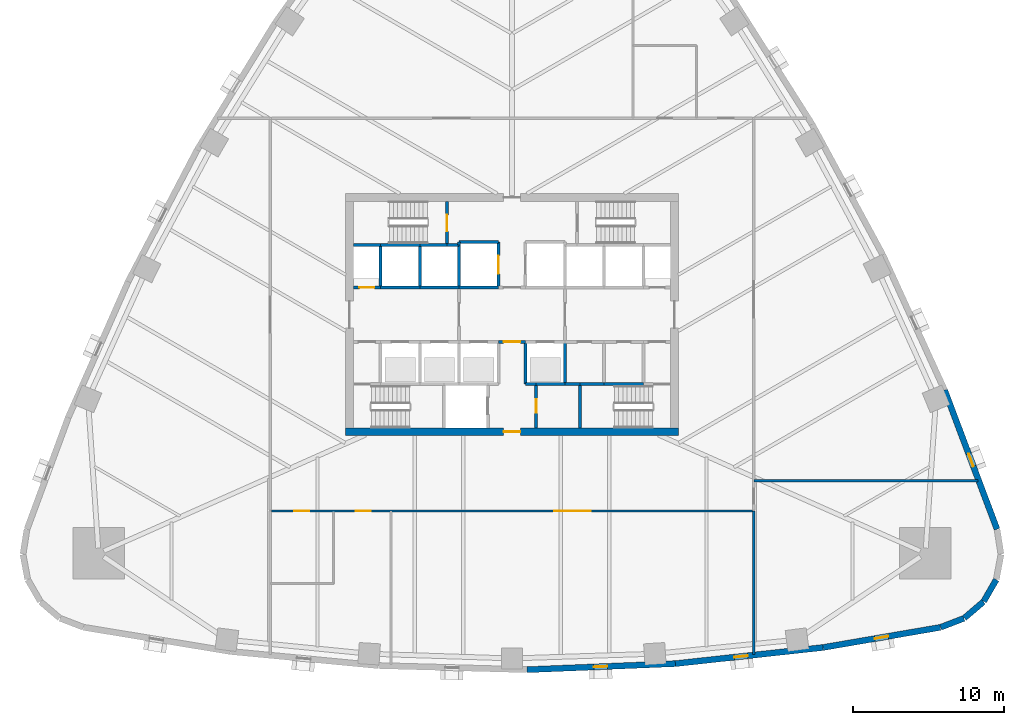
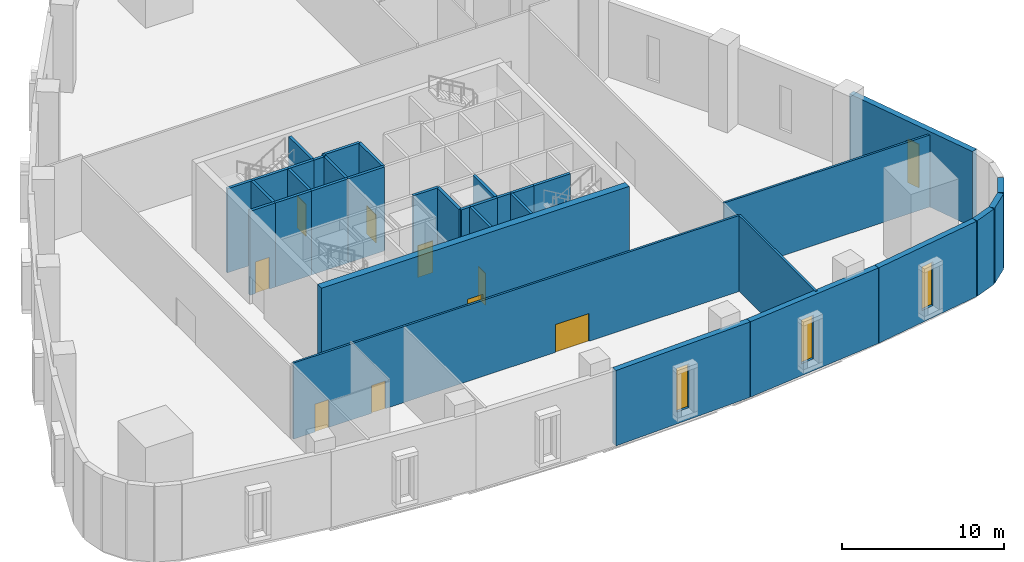
# One storey, part 4 of 11: 36 walls, 9 doors, 4 windows, 13 openings.
"""IFC4 building model written with IfcOpenShell, lengths in metres."""

import ifcopenshell
import ifcopenshell.guid

model = None  # the IFC model being written
_history = None  # IfcOwnerHistory: only IFC2X3 demands one
_inside = {}  # id of a spatial element -> (the spatial element, [elements in it])
_under = {}  # id of a project, library or spatial element -> (it, [spatial elements below it])
_declared = {}  # id of a project -> (the project, [libraries it declares])
_typed = {}  # id of a type object -> (the type object, [elements of that type])
_made_of = {}  # id of a material, layer set ... -> (it, [elements and type objects made of it])


def new_model(schema):
    """Start an empty IFC model of exactly this schema.

    Asked for "IFC4X3", IfcOpenShell would pick the latest addendum, in which some entities
    have other attributes; the version numbers below select the first issue.
    IFC2X3 requires an IfcOwnerHistory on every rooted entity: one is made here for all.
    """
    global model, _history
    if schema == "IFC4X3":
        model = ifcopenshell.file(schema_version=(4, 3, 0, 0))
    else:
        model = ifcopenshell.file(schema=schema)
    _inside.clear()
    _under.clear()
    _declared.clear()
    _typed.clear()
    _made_of.clear()
    _history = None
    if model.schema == "IFC2X3":
        org = make("IfcOrganization", Name="unknown")
        user = make(
            "IfcPersonAndOrganization",
            ThePerson=make("IfcPerson", FamilyName="unknown"),
            TheOrganization=org,
        )
        app = make(
            "IfcApplication",
            ApplicationDeveloper=org,
            Version="unknown",
            ApplicationFullName="unknown",
            ApplicationIdentifier="unknown",
        )
        _history = make(
            "IfcOwnerHistory",
            OwningUser=user,
            OwningApplication=app,
            ChangeAction="ADDED",
            CreationDate=0,
        )
    return model


def make(cls, **values):
    """One entity of the class cls with the attributes given. An attribute that is None is left unset."""
    return model.create_entity(
        cls, **{name: value for name, value in values.items() if value is not None}
    )


def rooted(cls, **values):
    """An entity with a GlobalId (a new one), such as an element, a storey or a relation."""
    return make(cls, GlobalId=ifcopenshell.guid.new(), OwnerHistory=_history, **values)


def si_unit(unit_type, name, prefix=None):
    """IfcSIUnit, for example si_unit("LENGTHUNIT", "METRE", prefix="MILLI")."""
    return make("IfcSIUnit", UnitType=unit_type, Prefix=prefix, Name=name)


def assignment(units):
    """IfcUnitAssignment: the units of a project."""
    return None if units is None else make("IfcUnitAssignment", Units=units)


def point(xyz):
    """IfcCartesianPoint."""
    return None if xyz is None else make("IfcCartesianPoint", Coordinates=xyz)


def direction(xyz):
    """IfcDirection."""
    return None if xyz is None else make("IfcDirection", DirectionRatios=xyz)


def frame(location, z_axis=None, x_axis=None):
    """IfcAxis2Placement3D, a coordinate frame: its origin and axes. An axis left out is left unset."""
    return make(
        "IfcAxis2Placement3D",
        Location=point(location),
        Axis=direction(z_axis),
        RefDirection=direction(x_axis),
    )


def frame_2d(location, x_axis=None):
    """IfcAxis2Placement2D, a coordinate frame in the plane: its origin and x axis."""
    return make(
        "IfcAxis2Placement2D", Location=point(location), RefDirection=direction(x_axis)
    )


def origin():
    """The frame at (0, 0, 0) with its axes left unset."""
    return frame((0.0, 0.0, 0.0))


def place(relative_to, where):
    """IfcLocalPlacement: puts the frame where relative to a parent placement (None: the world)."""
    return make(
        "IfcLocalPlacement", PlacementRelTo=relative_to, RelativePlacement=where
    )


def context(
    kind, dimensions, precision=None, world=None, true_north=None, identifier=None
):
    """IfcGeometricRepresentationContext, for example the 3D "Model" context."""
    return make(
        "IfcGeometricRepresentationContext",
        ContextIdentifier=identifier,
        ContextType=kind,
        CoordinateSpaceDimension=dimensions,
        Precision=precision,
        WorldCoordinateSystem=world,
        TrueNorth=true_north,
    )


def subcontext(parent, identifier, kind, view, scale=None):
    """IfcGeometricRepresentationSubContext, for example "Body" below "Model"."""
    return make(
        "IfcGeometricRepresentationSubContext",
        ContextIdentifier=identifier,
        ContextType=kind,
        ParentContext=parent,
        TargetScale=scale,
        TargetView=view,
    )


def project(units=None, contexts=None):
    """IfcProject with its units and contexts."""
    return rooted(
        "IfcProject",
        Name="project",
        RepresentationContexts=contexts,
        UnitsInContext=assignment(units),
    )


def spatial(cls, under=None, at=None, **own):
    """A site, building, storey or space (cls), placed at a placement, below another one or the project."""
    s = rooted(cls, ObjectPlacement=at, **own)
    if under is not None:
        _under.setdefault(under.id(), (under, []))[1].append(s)
    return s


def profile(cls, at=None, kind="AREA", **sizes):
    """A parametric profile (cls). Its sizes go by their IFC names, for example OverallWidth=200.0."""
    return make(cls, ProfileType=kind, Position=at, **sizes)


def rectangle(**sizes):
    """IfcRectangleProfileDef."""
    return profile("IfcRectangleProfileDef", **sizes)


def extrude(swept, where, along, depth):
    """IfcExtrudedAreaSolid: the profile swept, set in the frame where, extruded along a direction by depth."""
    return make(
        "IfcExtrudedAreaSolid",
        SweptArea=swept,
        Position=where,
        ExtrudedDirection=direction(along),
        Depth=depth,
    )


def shape(context_of_items, identifier, shape_type, items):
    """IfcShapeRepresentation: the items that make up one representation, for example the "Body"."""
    return make(
        "IfcShapeRepresentation",
        ContextOfItems=context_of_items,
        RepresentationIdentifier=identifier,
        RepresentationType=shape_type,
        Items=items,
    )


def material(Name=None, Category=None):
    """IfcMaterial."""
    return make("IfcMaterial", Name=Name, Category=Category)


def layer(
    of_material, thickness, ventilated=None, Name=None, Category=None, Priority=None
):
    """IfcMaterialLayer: one layer of a wall or slab, of a material (None: an air gap)."""
    return make(
        "IfcMaterialLayer",
        Material=of_material,
        LayerThickness=thickness,
        IsVentilated=ventilated,
        Name=Name,
        Category=Category,
        Priority=Priority,
    )


def layer_set(layers, Name=None):
    """IfcMaterialLayerSet."""
    return make("IfcMaterialLayerSet", MaterialLayers=layers, LayerSetName=Name)


def made_of(thing, what):
    """Note that an element or type object is made of a material, layer set ...; save() writes the relation."""
    if what is not None:
        _made_of.setdefault(what.id(), (what, []))[1].append(thing)
    return thing


def type_object(cls, material=None, **own):
    """A type object (cls), such as IfcWallType, which elements share."""
    return made_of(rooted(cls, **own), material)


def element(
    cls,
    number,
    at=None,
    inside=None,
    cuts=None,
    type_object=None,
    material=None,
    context=None,
    identifier="Body",
    shape_type=None,
    held_by="IfcProductDefinitionShape",
    body=None,
    shapes=None,
    **own,
):
    """One element of the class cls, such as IfcWall. Its Tag is "e" and its number.

    at: its placement. inside: the storey or other place that contains it. cuts: it is an
    opening in that element (IfcRelVoidsElement). A single representation is given by context,
    identifier, shape_type and body (its items); several are given by shapes. held_by: the class
    of the entity that holds the representations. save() writes the other relations.
    """
    e = rooted(cls, Tag="e%d" % number, ObjectPlacement=at, **own)
    if body is not None:
        shapes = [shape(context, identifier, shape_type, body)]
    if shapes is not None:
        e.Representation = make(held_by, Representations=shapes)
    if inside is not None:
        _inside.setdefault(inside.id(), (inside, []))[1].append(e)
    if cuts is not None:
        rooted(
            "IfcRelVoidsElement", RelatingBuildingElement=cuts, RelatedOpeningElement=e
        )
    if type_object is not None:
        _typed.setdefault(type_object.id(), (type_object, []))[1].append(e)
    return made_of(e, material)


def fill(opening, filler):
    """IfcRelFillsElement: the door or window that sits in an opening."""
    return rooted(
        "IfcRelFillsElement",
        RelatingOpeningElement=opening,
        RelatedBuildingElement=filler,
    )


def aggregate(whole, parts):
    """IfcRelAggregates: a whole, such as a stair, and the parts it consists of."""
    return rooted("IfcRelAggregates", RelatingObject=whole, RelatedObjects=parts)


def save(model, path):
    """Write the relations noted so far, then the file.

    IfcRelAggregates (storeys below a building ...), IfcRelContainedInSpatialStructure (elements
    in a storey), IfcRelDefinesByType, IfcRelAssociatesMaterial and IfcRelDeclares: one each for
    every whole, place, type object, material and project.
    """
    for whole, parts in _under.values():
        aggregate(whole, parts)
    for where, things in _inside.values():
        rooted(
            "IfcRelContainedInSpatialStructure",
            RelatedElements=things,
            RelatingStructure=where,
        )
    for kind, things in _typed.values():
        rooted("IfcRelDefinesByType", RelatedObjects=things, RelatingType=kind)
    for what, things in _made_of.values():
        rooted("IfcRelAssociatesMaterial", RelatedObjects=things, RelatingMaterial=what)
    for by, libraries in _declared.values():
        rooted("IfcRelDeclares", RelatingContext=by, RelatedDefinitions=libraries)
    model.write(path)


model = new_model("IFC4")

# Units and contexts
model_context = context("Model", 3, precision=1e-05, world=origin(), true_north=direction((0.0, 1.0)))
body_context = subcontext(model_context, "Body", "Model", "MODEL_VIEW")
ifc_project = project(units=[si_unit("LENGTHUNIT", "METRE"), si_unit("AREAUNIT", "SQUARE_METRE"), si_unit("VOLUMEUNIT", "CUBIC_METRE"), si_unit("PLANEANGLEUNIT", "RADIAN"), si_unit("MASSUNIT", "GRAM", prefix="KILO")], contexts=[model_context])

# Site, building, storey
site_placement = place(None, origin())
site = spatial("IfcSite", under=ifc_project, at=site_placement, CompositionType="ELEMENT")
building_placement = place(site_placement, origin())
building = spatial("IfcBuilding", under=site, at=building_placement, Name="Sierra Prisma Convention Tower", CompositionType="ELEMENT")
storey_placement = place(building_placement, frame((0.0, 0.0, 22.199951171875)))
storey = spatial("IfcBuildingStorey", under=building, at=storey_placement, Name="L03", CompositionType="ELEMENT", Elevation=22.199951171875)

# Wall, opening, door
ifc_material_1 = material(Name="Concrete C30/37", Category="concrete")
ifc_layer_1 = layer(ifc_material_1, 0.199951171875)
ifc_layer_set_1 = layer_set([ifc_layer_1], Name="Core wall RC 200 C30/37")
wall_type_1 = type_object("IfcWallType", Name="Core wall RC 200 C30/37", PredefinedType="SOLIDWALL", material=ifc_layer_set_1)
wall_1_placement = place(storey_placement, frame((-8.699951171875, 1.800048828125, 0.0), z_axis=(0.0, 0.0, 1.0), x_axis=(-1.0, 0.0, 0.0)))
wall_1 = element("IfcWall", 1, at=wall_1_placement, inside=storey, type_object=wall_type_1, Name="Core wall L03 3", PredefinedType="SOLIDWALL", context=body_context, shape_type="SweptSolid", body=[
    extrude(rectangle(XDim=1.800048828125, YDim=0.199951171875, at=frame_2d((0.89990234375, 0.0))), origin(), (0.0, 0.0, 1.0), 6.35009765625),
])
opening_1_placement = place(wall_1_placement, frame((0.39990234375, 0.0, 0.0)))
opening_1 = element("IfcOpeningElement", 2, at=opening_1_placement, cuts=wall_1, Name="Opening L03-D014", PredefinedType="OPENING", context=body_context, shape_type="SweptSolid", body=[
    extrude(rectangle(XDim=1.0, YDim=2.39990234375, at=frame_2d((0.5, 1.199951171875))), frame((0.0, 0.10009765625, 0.0), z_axis=(0.0, -1.0, 0.0), x_axis=(1.0, 0.0, 0.0)), (0.0, 0.0, 1.0), 0.199951171875),
])
ifc_material_2 = material(Name="Steel fire door leaf", Category="steel")
door_type_1 = type_object("IfcDoorType", Name="Door 1000x2400 FD60S", OperationType="SINGLE_SWING_LEFT", PredefinedType="DOOR", material=ifc_material_2)
door_1_placement = place(opening_1_placement, origin())
door_1 = element("IfcDoor", 3, at=door_1_placement, inside=storey, type_object=door_type_1, Name="Door L03 23", OperationType="SINGLE_SWING_LEFT", OverallHeight=2.39990234375, OverallWidth=1.0, PredefinedType="DOOR", context=body_context, shape_type="SweptSolid", body=[
    extrude(rectangle(XDim=1.0, YDim=2.39990234375, at=frame_2d((0.5, 1.199951171875))), frame((0.0, 0.02490234375, 0.0), z_axis=(0.0, -1.0, 0.0), x_axis=(1.0, 0.0, 0.0)), (0.0, 0.0, 1.0), 0.050048828125),
])
fill(opening_1, door_1)

# Walls
wall_2_placement = place(storey_placement, frame((-8.699951171875, 4.60009765625, 0.0), z_axis=(0.0, 0.0, 1.0), x_axis=(-1.0, 0.0, 0.0)))
element("IfcWall", 4, at=wall_2_placement, inside=storey, type_object=wall_type_1, Name="Core wall L03 4", PredefinedType="SOLIDWALL", context=body_context, shape_type="SweptSolid", body=[
    extrude(rectangle(XDim=1.800048828125, YDim=0.199951171875, at=frame_2d((0.89990234375, 0.0))), origin(), (0.0, 0.0, 1.0), 6.35009765625),
])
wall_3_placement = place(storey_placement, frame((-6.10009765625, 1.800048828125, 0.0), z_axis=(0.0, 0.0, 1.0), x_axis=(-1.0, 0.0, 0.0)))
element("IfcWall", 5, at=wall_3_placement, inside=storey, type_object=wall_type_1, Name="Core wall L03 8", PredefinedType="SOLIDWALL", context=body_context, shape_type="SweptSolid", body=[
    extrude(rectangle(XDim=2.599853515625, YDim=0.199951171875, at=frame_2d((1.2998046875, 0.0))), origin(), (0.0, 0.0, 1.0), 6.35009765625),
])
wall_4_placement = place(storey_placement, frame((-8.699951171875, 1.800048828125, 0.0), z_axis=(0.0, 0.0, 1.0), x_axis=(0.0, 1.0, 0.0)))
element("IfcWall", 6, at=wall_4_placement, inside=storey, type_object=wall_type_1, Name="Core wall L03 9", PredefinedType="SOLIDWALL", context=body_context, shape_type="SweptSolid", body=[
    extrude(rectangle(XDim=2.800048828125, YDim=0.199951171875, at=frame_2d((1.39990234375, 0.0))), origin(), (0.0, 0.0, 1.0), 6.35009765625),
])
wall_5_placement = place(storey_placement, frame((-6.10009765625, 4.60009765625, 0.0), z_axis=(0.0, 0.0, 1.0), x_axis=(-1.0, 0.0, 0.0)))
element("IfcWall", 7, at=wall_5_placement, inside=storey, type_object=wall_type_1, Name="Core wall L03 10", PredefinedType="SOLIDWALL", context=body_context, shape_type="SweptSolid", body=[
    extrude(rectangle(XDim=2.599853515625, YDim=0.199951171875, at=frame_2d((1.2998046875, 0.0))), origin(), (0.0, 0.0, 1.0), 6.35009765625),
])
wall_6_placement = place(storey_placement, frame((-3.5, 1.800048828125, 0.0), z_axis=(0.0, 0.0, 1.0), x_axis=(-1.0, 0.0, 0.0)))
element("IfcWall", 8, at=wall_6_placement, inside=storey, type_object=wall_type_1, Name="Core wall L03 14", PredefinedType="SOLIDWALL", context=body_context, shape_type="SweptSolid", body=[
    extrude(rectangle(XDim=2.60009765625, YDim=0.199951171875, at=frame_2d((1.300048828125, 0.0))), origin(), (0.0, 0.0, 1.0), 6.35009765625),
])
wall_7_placement = place(storey_placement, frame((-6.10009765625, 1.800048828125, 0.0), z_axis=(0.0, 0.0, 1.0), x_axis=(0.0, 1.0, 0.0)))
element("IfcWall", 9, at=wall_7_placement, inside=storey, type_object=wall_type_1, Name="Core wall L03 15", PredefinedType="SOLIDWALL", context=body_context, shape_type="SweptSolid", body=[
    extrude(rectangle(XDim=2.800048828125, YDim=0.199951171875, at=frame_2d((1.39990234375, 0.0))), origin(), (0.0, 0.0, 1.0), 6.35009765625),
])
wall_8_placement = place(storey_placement, frame((-4.300048828125, 4.60009765625, 0.0), z_axis=(0.0, 0.0, 1.0), x_axis=(-1.0, 0.0, 0.0)))
element("IfcWall", 10, at=wall_8_placement, inside=storey, type_object=wall_type_1, Name="Core wall L03 16", PredefinedType="SOLIDWALL", context=body_context, shape_type="SweptSolid", body=[
    extrude(rectangle(XDim=1.800048828125, YDim=0.199951171875, at=frame_2d((0.89990234375, 0.0))), origin(), (0.0, 0.0, 1.0), 6.35009765625),
])
wall_9_placement = place(storey_placement, frame((-3.5, 4.60009765625, 0.0), z_axis=(0.0, 0.0, 1.0), x_axis=(-1.0, 0.0, 0.0)))
element("IfcWall", 11, at=wall_9_placement, inside=storey, type_object=wall_type_1, Name="Core wall L03 19", PredefinedType="SOLIDWALL", context=body_context, shape_type="SweptSolid", body=[
    extrude(rectangle(XDim=0.800048828125, YDim=0.199951171875, at=frame_2d((0.39990234375, 0.0))), origin(), (0.0, 0.0, 1.0), 6.35009765625),
])

# Wall, opening, door
wall_10_placement = place(storey_placement, frame((-4.300048828125, 4.60009765625, 0.0), z_axis=(0.0, 0.0, 1.0), x_axis=(0.0, 1.0, 0.0)))
wall_10 = element("IfcWall", 12, at=wall_10_placement, inside=storey, type_object=wall_type_1, Name="Core wall L03 20", PredefinedType="SOLIDWALL", context=body_context, shape_type="SweptSolid", body=[
    extrude(rectangle(XDim=2.89990234375, YDim=0.199951171875, at=frame_2d((1.449951171875, 0.0))), origin(), (0.0, 0.0, 1.0), 6.35009765625),
])
opening_2_placement = place(wall_10_placement, frame((0.89990234375, 0.0, 0.0)))
opening_2 = element("IfcOpeningElement", 13, at=opening_2_placement, cuts=wall_10, Name="Opening L03-D018", PredefinedType="OPENING", context=body_context, shape_type="SweptSolid", body=[
    extrude(rectangle(XDim=1.10009765625, YDim=2.39990234375, at=frame_2d((0.550048828125, 1.199951171875))), frame((0.0, 0.10009765625, 0.0), z_axis=(0.0, -1.0, 0.0), x_axis=(1.0, 0.0, 0.0)), (0.0, 0.0, 1.0), 0.199951171875),
])
ifc_material_3 = material(Name="Steel fire door leaf", Category="steel")
door_type_2 = type_object("IfcDoorType", Name="Door 1100x2400 FD90S", OperationType="SINGLE_SWING_LEFT", PredefinedType="DOOR", material=ifc_material_3)
door_2_placement = place(opening_2_placement, origin())
door_2 = element("IfcDoor", 14, at=door_2_placement, inside=storey, type_object=door_type_2, Name="Door L03 27", OperationType="SINGLE_SWING_LEFT", OverallHeight=2.39990234375, OverallWidth=1.10009765625, PredefinedType="DOOR", context=body_context, shape_type="SweptSolid", body=[
    extrude(rectangle(XDim=1.10009765625, YDim=2.39990234375, at=frame_2d((0.550048828125, 1.199951171875))), frame((0.0, 0.02490234375, 0.0), z_axis=(0.0, -1.0, 0.0), x_axis=(1.0, 0.0, 0.0)), (0.0, 0.0, 1.0), 0.050048828125),
])
fill(opening_2, door_2)

# Walls
wall_11_placement = place(storey_placement, frame((-0.89990234375, 1.800048828125, 0.0), z_axis=(0.0, 0.0, 1.0), x_axis=(-1.0, 0.0, 0.0)))
element("IfcWall", 15, at=wall_11_placement, inside=storey, type_object=wall_type_1, Name="Core wall L03 25", PredefinedType="SOLIDWALL", context=body_context, shape_type="SweptSolid", body=[
    extrude(rectangle(XDim=2.60009765625, YDim=0.199951171875, at=frame_2d((1.300048828125, 0.0))), origin(), (0.0, 0.0, 1.0), 6.35009765625),
])
wall_12_placement = place(storey_placement, frame((-3.5, 4.60009765625, 0.0), z_axis=(0.0, 0.0, 1.0), x_axis=(0.0, -1.0, 0.0)))
element("IfcWall", 16, at=wall_12_placement, inside=storey, type_object=wall_type_1, Name="Core wall L03 26", PredefinedType="SOLIDWALL", context=body_context, shape_type="SweptSolid", body=[
    extrude(rectangle(XDim=2.800048828125, YDim=0.199951171875, at=frame_2d((1.39990234375, 0.0))), origin(), (0.0, 0.0, 1.0), 6.35009765625),
])

# Wall, opening, door
wall_13_placement = place(storey_placement, frame((-0.89990234375, 1.800048828125, 0.0), z_axis=(0.0, 0.0, 1.0), x_axis=(0.0, 1.0, 0.0)))
wall_13 = element("IfcWall", 17, at=wall_13_placement, inside=storey, type_object=wall_type_1, Name="Core wall L03 27", PredefinedType="SOLIDWALL", context=body_context, shape_type="SweptSolid", body=[
    extrude(rectangle(XDim=3.0, YDim=0.199951171875, at=frame_2d((1.5, 0.0))), origin(), (0.0, 0.0, 1.0), 6.35009765625),
])
opening_3_placement = place(wall_13_placement, frame((0.89990234375, 0.0, 0.0)))
opening_3 = element("IfcOpeningElement", 18, at=opening_3_placement, cuts=wall_13, Name="Opening L03-D005", PredefinedType="OPENING", context=body_context, shape_type="SweptSolid", body=[
    extrude(rectangle(XDim=1.199951171875, YDim=2.10009765625, at=frame_2d((0.60009765625, 1.050048828125))), frame((0.0, 0.10009765625, 0.0), z_axis=(0.0, -1.0, 0.0), x_axis=(1.0, 0.0, 0.0)), (0.0, 0.0, 1.0), 0.199951171875),
])
ifc_material_4 = material(Name="Steel fire door leaf", Category="steel")
door_type_3 = type_object("IfcDoorType", Name="Door 1200x2100 EI 90 sliding lift landing", OperationType="SLIDING_TO_LEFT", PredefinedType="DOOR", material=ifc_material_4)
door_3_placement = place(opening_3_placement, origin())
door_3 = element("IfcDoor", 19, at=door_3_placement, inside=storey, type_object=door_type_3, Name="Door L03 14", OperationType="SLIDING_TO_LEFT", OverallHeight=2.10009765625, OverallWidth=1.199951171875, PredefinedType="DOOR", context=body_context, shape_type="SweptSolid", body=[
    extrude(rectangle(XDim=1.199951171875, YDim=2.10009765625, at=frame_2d((0.60009765625, 1.050048828125))), frame((0.0, 0.02490234375, 0.0), z_axis=(0.0, -1.0, 0.0), x_axis=(1.0, 0.0, 0.0)), (0.0, 0.0, 1.0), 0.050048828125),
])
fill(opening_3, door_3)

# Walls
wall_14_placement = place(storey_placement, frame((-0.89990234375, 4.800048828125, 0.0), z_axis=(0.0, 0.0, 1.0), x_axis=(-1.0, 0.0, 0.0)))
element("IfcWall", 20, at=wall_14_placement, inside=storey, type_object=wall_type_1, Name="Core wall L03 28", PredefinedType="SOLIDWALL", context=body_context, shape_type="SweptSolid", body=[
    extrude(rectangle(XDim=2.60009765625, YDim=0.199951171875, at=frame_2d((1.300048828125, 0.0))), origin(), (0.0, 0.0, 1.0), 6.35009765625),
])
wall_15_placement = place(storey_placement, frame((-3.5, 4.800048828125, 0.0), z_axis=(0.0, 0.0, 1.0), x_axis=(0.0, -1.0, 0.0)))
element("IfcWall", 21, at=wall_15_placement, inside=storey, type_object=wall_type_1, Name="Core wall L03 29", PredefinedType="SOLIDWALL", context=body_context, shape_type="SweptSolid", body=[
    extrude(rectangle(XDim=0.199951171875, YDim=0.199951171875, at=frame_2d((0.10009765625, 0.0))), origin(), (0.0, 0.0, 1.0), 6.35009765625),
])

# Wall, opening, door
wall_16_placement = place(storey_placement, frame((-0.89990234375, -1.800048828125, 0.0), z_axis=(0.0, 0.0, 1.0), x_axis=(1.0, 0.0, 0.0)))
wall_16 = element("IfcWall", 22, at=wall_16_placement, inside=storey, type_object=wall_type_1, Name="Core wall L03 33", PredefinedType="SOLIDWALL", context=body_context, shape_type="SweptSolid", body=[
    extrude(rectangle(XDim=1.7998046875, YDim=0.199951171875, at=frame_2d((0.89990234375, 0.0))), origin(), (0.0, 0.0, 1.0), 6.35009765625),
])
opening_4_placement = place(wall_16_placement, frame((0.35009765625, 0.0, 0.0)))
opening_4 = element("IfcOpeningElement", 23, at=opening_4_placement, cuts=wall_16, Name="Opening L03-D013", PredefinedType="OPENING", context=body_context, shape_type="SweptSolid", body=[
    extrude(rectangle(XDim=1.10009765625, YDim=2.39990234375, at=frame_2d((0.550048828125, 1.199951171875))), frame((0.0, 0.10009765625, 0.0), z_axis=(0.0, -1.0, 0.0), x_axis=(1.0, 0.0, 0.0)), (0.0, 0.0, 1.0), 0.199951171875),
])
ifc_material_5 = material(Name="Steel fire door leaf", Category="steel")
door_type_4 = type_object("IfcDoorType", Name="Door 1100x2400 FD30S", OperationType="SINGLE_SWING_LEFT", PredefinedType="DOOR", material=ifc_material_5)
door_4_placement = place(opening_4_placement, origin())
door_4 = element("IfcDoor", 24, at=door_4_placement, inside=storey, type_object=door_type_4, Name="Door L03 22", OperationType="SINGLE_SWING_RIGHT", OverallHeight=2.39990234375, OverallWidth=1.10009765625, PredefinedType="DOOR", context=body_context, shape_type="SweptSolid", body=[
    extrude(rectangle(XDim=1.10009765625, YDim=2.39990234375, at=frame_2d((0.550048828125, 1.199951171875))), frame((0.0, 0.02490234375, 0.0), z_axis=(0.0, -1.0, 0.0), x_axis=(1.0, 0.0, 0.0)), (0.0, 0.0, 1.0), 0.050048828125),
])
fill(opening_4, door_4)

# Walls
wall_17_placement = place(storey_placement, frame((0.89990234375, -1.800048828125, 0.0), z_axis=(0.0, 0.0, 1.0), x_axis=(0.0, -1.0, 0.0)))
element("IfcWall", 25, at=wall_17_placement, inside=storey, type_object=wall_type_1, Name="Core wall L03 36", PredefinedType="SOLIDWALL", context=body_context, shape_type="SweptSolid", body=[
    extrude(rectangle(XDim=2.800048828125, YDim=0.199951171875, at=frame_2d((1.39990234375, 0.0))), origin(), (0.0, 0.0, 1.0), 6.35009765625),
])
wall_18_placement = place(storey_placement, frame((0.89990234375, -4.60009765625, 0.0), z_axis=(0.0, 0.0, 1.0), x_axis=(1.0, 0.0, 0.0)))
element("IfcWall", 26, at=wall_18_placement, inside=storey, type_object=wall_type_1, Name="Core wall L03 37", PredefinedType="SOLIDWALL", context=body_context, shape_type="SweptSolid", body=[
    extrude(rectangle(XDim=0.7001953125, YDim=0.199951171875, at=frame_2d((0.35009765625, 0.0))), origin(), (0.0, 0.0, 1.0), 6.35009765625),
])

# Wall, opening, door
wall_19_placement = place(storey_placement, frame((1.60009765625, -4.60009765625, 0.0), z_axis=(0.0, 0.0, 1.0), x_axis=(0.0, -1.0, 0.0)))
wall_19 = element("IfcWall", 27, at=wall_19_placement, inside=storey, type_object=wall_type_1, Name="Core wall L03 42", PredefinedType="SOLIDWALL", context=body_context, shape_type="SweptSolid", body=[
    extrude(rectangle(XDim=2.89990234375, YDim=0.199951171875, at=frame_2d((1.449951171875, 0.0))), origin(), (0.0, 0.0, 1.0), 6.35009765625),
])
opening_5_placement = place(wall_19_placement, frame((1.0, 0.0, 0.0)))
opening_5 = element("IfcOpeningElement", 28, at=opening_5_placement, cuts=wall_19, Name="Opening L03-D022", PredefinedType="OPENING", context=body_context, shape_type="SweptSolid", body=[
    extrude(rectangle(XDim=0.89990234375, YDim=2.39990234375, at=frame_2d((0.449951171875, 1.199951171875))), frame((0.0, 0.10009765625, 0.0), z_axis=(0.0, -1.0, 0.0), x_axis=(1.0, 0.0, 0.0)), (0.0, 0.0, 1.0), 0.199951171875),
])
ifc_material_6 = material(Name="Steel fire door leaf", Category="steel")
door_type_5 = type_object("IfcDoorType", Name="Door 900x2400 FD30S", OperationType="SINGLE_SWING_LEFT", PredefinedType="DOOR", material=ifc_material_6)
door_5_placement = place(opening_5_placement, origin())
door_5 = element("IfcDoor", 29, at=door_5_placement, inside=storey, type_object=door_type_5, Name="Door L03 31", OperationType="SINGLE_SWING_LEFT", OverallHeight=2.39990234375, OverallWidth=0.89990234375, PredefinedType="DOOR", context=body_context, shape_type="SweptSolid", body=[
    extrude(rectangle(XDim=0.89990234375, YDim=2.39990234375, at=frame_2d((0.449951171875, 1.199951171875))), frame((0.0, 0.02490234375, 0.0), z_axis=(0.0, -1.0, 0.0), x_axis=(1.0, 0.0, 0.0)), (0.0, 0.0, 1.0), 0.050048828125),
])
fill(opening_5, door_5)

# Walls
wall_20_placement = place(storey_placement, frame((3.5, -4.60009765625, 0.0), z_axis=(0.0, 0.0, 1.0), x_axis=(-1.0, 0.0, 0.0)))
element("IfcWall", 30, at=wall_20_placement, inside=storey, type_object=wall_type_1, Name="Core wall L03 43", PredefinedType="SOLIDWALL", context=body_context, shape_type="SweptSolid", body=[
    extrude(rectangle(XDim=1.89990234375, YDim=0.199951171875, at=frame_2d((0.949951171875, 0.0))), origin(), (0.0, 0.0, 1.0), 6.35009765625),
])
wall_21_placement = place(storey_placement, frame((3.5, -4.60009765625, 0.0), z_axis=(0.0, 0.0, 1.0), x_axis=(1.0, 0.0, 0.0)))
element("IfcWall", 31, at=wall_21_placement, inside=storey, type_object=wall_type_1, Name="Core wall L03 44", PredefinedType="SOLIDWALL", context=body_context, shape_type="SweptSolid", body=[
    extrude(rectangle(XDim=1.0, YDim=0.199951171875, at=frame_2d((0.5, 0.0))), origin(), (0.0, 0.0, 1.0), 6.35009765625),
])
wall_22_placement = place(storey_placement, frame((3.5, -1.800048828125, 0.0), z_axis=(0.0, 0.0, 1.0), x_axis=(0.0, -1.0, 0.0)))
element("IfcWall", 32, at=wall_22_placement, inside=storey, type_object=wall_type_1, Name="Core wall L03 45", PredefinedType="SOLIDWALL", context=body_context, shape_type="SweptSolid", body=[
    extrude(rectangle(XDim=2.800048828125, YDim=0.199951171875, at=frame_2d((1.39990234375, 0.0))), origin(), (0.0, 0.0, 1.0), 6.35009765625),
])
wall_23_placement = place(storey_placement, frame((4.5, -7.5, 0.0), z_axis=(0.0, 0.0, 1.0), x_axis=(0.0, 1.0, 0.0)))
element("IfcWall", 33, at=wall_23_placement, inside=storey, type_object=wall_type_1, Name="Core wall L03 53", PredefinedType="SOLIDWALL", context=body_context, shape_type="SweptSolid", body=[
    extrude(rectangle(XDim=2.89990234375, YDim=0.199951171875, at=frame_2d((1.449951171875, 0.0))), origin(), (0.0, 0.0, 1.0), 6.35009765625),
])
wall_24_placement = place(storey_placement, frame((4.5, -4.60009765625, 0.0), z_axis=(0.0, 0.0, 1.0), x_axis=(1.0, 0.0, 0.0)))
element("IfcWall", 34, at=wall_24_placement, inside=storey, type_object=wall_type_1, Name="Core wall L03 54", PredefinedType="SOLIDWALL", context=body_context, shape_type="SweptSolid", body=[
    extrude(rectangle(XDim=1.60009765625, YDim=0.199951171875, at=frame_2d((0.800048828125, 0.0))), origin(), (0.0, 0.0, 1.0), 6.35009765625),
])
wall_25_placement = place(storey_placement, frame((6.10009765625, -4.60009765625, 0.0), z_axis=(0.0, 0.0, 1.0), x_axis=(1.0, 0.0, 0.0)))
element("IfcWall", 35, at=wall_25_placement, inside=storey, type_object=wall_type_1, Name="Core wall L03 55", PredefinedType="SOLIDWALL", context=body_context, shape_type="SweptSolid", body=[
    extrude(rectangle(XDim=2.599853515625, YDim=0.199951171875, at=frame_2d((1.2998046875, 0.0))), origin(), (0.0, 0.0, 1.0), 6.35009765625),
])

# Wall, opening, door
ifc_material_7 = material(Name="Concrete C70/85", Category="concrete")
ifc_layer_2 = layer(ifc_material_7, 0.5)
ifc_layer_set_2 = layer_set([ifc_layer_2], Name="Core wall RC 500 C70/85")
wall_type_2 = type_object("IfcWallType", Name="Core wall RC 500 C70/85", PredefinedType="SHEAR", material=ifc_layer_set_2)
wall_26_placement = place(storey_placement, frame((-11.0, -7.75, 0.0), z_axis=(0.0, 0.0, 1.0), x_axis=(1.0, 0.0, 0.0)))
wall_26 = element("IfcWall", 36, at=wall_26_placement, inside=storey, type_object=wall_type_2, Name="Core wall S L03", PredefinedType="SHEAR", context=body_context, shape_type="SweptSolid", body=[
    extrude(rectangle(XDim=22.0, YDim=0.5, at=frame_2d((11.0, 0.0))), origin(), (0.0, 0.0, 1.0), 6.60009765625),
])
opening_6_placement = place(wall_26_placement, frame((10.449951171875, 0.0, 0.0)))
opening_6 = element("IfcOpeningElement", 37, at=opening_6_placement, cuts=wall_26, Name="Opening L03-D034", PredefinedType="OPENING", context=body_context, shape_type="SweptSolid", body=[
    extrude(rectangle(XDim=1.10009765625, YDim=2.10009765625, at=frame_2d((0.550048828125, 1.050048828125))), frame((0.0, 0.25, 0.0), z_axis=(0.0, -1.0, 0.0), x_axis=(1.0, 0.0, 0.0)), (0.0, 0.0, 1.0), 0.5),
])
ifc_material_8 = material(Name="Steel fire door leaf", Category="steel")
door_type_6 = type_object("IfcDoorType", Name="Door 1100x2100 FD30S", OperationType="SINGLE_SWING_LEFT", PredefinedType="DOOR", material=ifc_material_8)
door_6_placement = place(opening_6_placement, origin())
door_6 = element("IfcDoor", 38, at=door_6_placement, inside=storey, type_object=door_type_6, Name="Door L03 35", OperationType="SINGLE_SWING_LEFT", OverallHeight=2.10009765625, OverallWidth=1.10009765625, PredefinedType="DOOR", context=body_context, shape_type="SweptSolid", body=[
    extrude(rectangle(XDim=1.10009765625, YDim=2.10009765625, at=frame_2d((0.550048828125, 1.050048828125))), frame((0.0, 0.02490234375, 0.0), z_axis=(0.0, -1.0, 0.0), x_axis=(1.0, 0.0, 0.0)), (0.0, 0.0, 1.0), 0.050048828125),
])
fill(opening_6, door_6)

# Wall, openings, doors
ifc_material_9 = material(Name="Gypsum board partition", Category="gypsum")
ifc_layer_3 = layer(ifc_material_9, 0.14990234375)
ifc_layer_set_3 = layer_set([ifc_layer_3], Name="Corridor wall 150 gypsum EI 60")
wall_type_3 = type_object("IfcWallType", Name="Corridor wall 150 gypsum EI 60", PredefinedType="PARTITIONING", material=ifc_layer_set_3)
wall_27_placement = place(storey_placement, frame((-15.919921875, -13.0, 0.0), z_axis=(0.0, 0.0, 1.0), x_axis=(1.0, 0.0, 0.0)))
wall_27 = element("IfcWall", 39, at=wall_27_placement, inside=storey, type_object=wall_type_3, Name="Partition L03 corr 2", PredefinedType="PARTITIONING", context=body_context, shape_type="SweptSolid", body=[
    extrude(rectangle(XDim=31.83984375, YDim=0.14990234375, at=frame_2d((15.919921875, 0.0))), origin(), (0.0, 0.0, 1.0), 5.7470703125),
])
opening_7_placement = place(wall_27_placement, frame((1.52001953125, 0.0, 0.0)))
opening_7 = element("IfcOpeningElement", 40, at=opening_7_placement, cuts=wall_27, Name="Opening L03-D027", PredefinedType="OPENING", context=body_context, shape_type="SweptSolid", body=[
    extrude(rectangle(XDim=1.0, YDim=2.10009765625, at=frame_2d((0.5, 1.050048828125))), frame((0.0, 0.074951171875, 0.0), z_axis=(0.0, -1.0, 0.0), x_axis=(1.0, 0.0, 0.0)), (0.0, 0.0, 1.0), 0.14990234375),
])
opening_8_placement = place(wall_27_placement, frame((5.570068359375, 0.0, 0.0)))
opening_8 = element("IfcOpeningElement", 41, at=opening_8_placement, cuts=wall_27, Name="Opening L03-D028", PredefinedType="OPENING", context=body_context, shape_type="SweptSolid", body=[
    extrude(rectangle(XDim=1.0, YDim=2.10009765625, at=frame_2d((0.5, 1.050048828125))), frame((0.0, 0.074951171875, 0.0), z_axis=(0.0, -1.0, 0.0), x_axis=(1.0, 0.0, 0.0)), (0.0, 0.0, 1.0), 0.14990234375),
])
opening_9_placement = place(wall_27_placement, frame((18.719970703125, 0.0, 0.0)))
opening_9 = element("IfcOpeningElement", 42, at=opening_9_placement, cuts=wall_27, Name="Opening L03-D029", PredefinedType="OPENING", context=body_context, shape_type="SweptSolid", body=[
    extrude(rectangle(XDim=2.39990234375, YDim=2.10009765625, at=frame_2d((1.199951171875, 1.050048828125))), frame((0.0, 0.074951171875, 0.0), z_axis=(0.0, -1.0, 0.0), x_axis=(1.0, 0.0, 0.0)), (0.0, 0.0, 1.0), 0.14990234375),
])
ifc_material_10 = material(Name="Steel fire door leaf", Category="steel")
door_type_7 = type_object("IfcDoorType", Name="Door 1000x2100 FD30S", OperationType="SINGLE_SWING_LEFT", PredefinedType="DOOR", material=ifc_material_10)
door_7_placement = place(opening_7_placement, origin())
door_7 = element("IfcDoor", 43, at=door_7_placement, inside=storey, type_object=door_type_7, Name="Door L03 5", OperationType="SINGLE_SWING_LEFT", OverallHeight=2.10009765625, OverallWidth=1.0, PredefinedType="DOOR", context=body_context, shape_type="SweptSolid", body=[
    extrude(rectangle(XDim=1.0, YDim=2.10009765625, at=frame_2d((0.5, 1.050048828125))), frame((0.0, 0.02490234375, 0.0), z_axis=(0.0, -1.0, 0.0), x_axis=(1.0, 0.0, 0.0)), (0.0, 0.0, 1.0), 0.050048828125),
])
fill(opening_7, door_7)
door_8_placement = place(opening_8_placement, origin())
door_8 = element("IfcDoor", 44, at=door_8_placement, inside=storey, type_object=door_type_7, Name="Door L03 6", OperationType="SINGLE_SWING_LEFT", OverallHeight=2.10009765625, OverallWidth=1.0, PredefinedType="DOOR", context=body_context, shape_type="SweptSolid", body=[
    extrude(rectangle(XDim=1.0, YDim=2.10009765625, at=frame_2d((0.5, 1.050048828125))), frame((0.0, 0.02490234375, 0.0), z_axis=(0.0, -1.0, 0.0), x_axis=(1.0, 0.0, 0.0)), (0.0, 0.0, 1.0), 0.050048828125),
])
fill(opening_8, door_8)
ifc_material_11 = material(Name="Steel fire door leaf", Category="steel")
door_type_8 = type_object("IfcDoorType", Name="Door 2400x2100 FD30S", OperationType="DOUBLE_DOOR_SINGLE_SWING", PredefinedType="DOOR", material=ifc_material_11)
door_9_placement = place(opening_9_placement, origin())
door_9 = element("IfcDoor", 45, at=door_9_placement, inside=storey, type_object=door_type_8, Name="Door L03 7", OperationType="DOUBLE_DOOR_SINGLE_SWING", OverallHeight=2.10009765625, OverallWidth=2.39990234375, PredefinedType="DOOR", context=body_context, shape_type="SweptSolid", body=[
    extrude(rectangle(XDim=2.39990234375, YDim=2.10009765625, at=frame_2d((1.199951171875, 1.050048828125))), frame((0.0, 0.02490234375, 0.0), z_axis=(0.0, -1.0, 0.0), x_axis=(1.0, 0.0, 0.0)), (0.0, 0.0, 1.0), 0.050048828125),
])
fill(opening_9, door_9)

# Walls
ifc_material_12 = material(Name="Gypsum board partition", Category="gypsum")
ifc_layer_4 = layer(ifc_material_12, 0.14990234375)
ifc_layer_set_4 = layer_set([ifc_layer_4], Name="Party wall 150 gypsum")
wall_type_4 = type_object("IfcWallType", Name="Party wall 150 gypsum", PredefinedType="PARTITIONING", material=ifc_layer_set_4)
wall_28_placement = place(storey_placement, frame((16.0, -13.0, 0.0), z_axis=(0.0, 0.0, 1.0), x_axis=(0.0, -1.0, 0.0)))
element("IfcWall", 46, at=wall_28_placement, inside=storey, type_object=wall_type_4, Name="Partition L03 party 5", PredefinedType="PARTITIONING", context=body_context, shape_type="SweptSolid", body=[
    extrude(rectangle(XDim=9.48828125, YDim=0.14990234375, at=frame_2d((4.744140625, 0.0))), origin(), (0.0, 0.0, 1.0), 5.734130859375),
])
wall_29_placement = place(storey_placement, frame((16.0, -11.0, 0.0), z_axis=(0.0, 0.0, 1.0), x_axis=(1.0, 0.0, 0.0)))
element("IfcWall", 47, at=wall_29_placement, inside=storey, type_object=wall_type_4, Name="Partition L03 party 6", PredefinedType="PARTITIONING", context=body_context, shape_type="SweptSolid", body=[
    extrude(rectangle(XDim=14.839111328125, YDim=0.14990234375, at=frame_2d((7.41943359375, 0.0))), origin(), (0.0, 0.0, 1.0), 5.447021484375),
])
ifc_material_13 = material(Name="Concrete C40/50, terracotta plaster finish", Category="masonry")
ifc_layer_5 = layer(ifc_material_13, 0.39990234375)
ifc_layer_set_5 = layer_set([ifc_layer_5], Name="Podium plastered wall 400")
wall_type_5 = type_object("IfcWallType", Name="Podium plastered wall 400", PredefinedType="STANDARD", material=ifc_layer_set_5)
for number, where, z_axis, x_axis, name in (
    (48, (31.189697265625, -19.00341796875, 0.0), (0.0, 0.0, 1.0), (-0.760211621525, -0.649675527089, 0.0), "Podium wall L03 1"),
    (49, (32.04052734375, -17.541015625, 0.0), (0.0, 0.0, 1.0), (-0.499985761608, -0.866033624168, 0.0), "Podium wall L03 2"),
):
    element("IfcWall", number, at=place(storey_placement, frame(where, z_axis=z_axis, x_axis=x_axis)), inside=storey, type_object=wall_type_5, Name=name, PredefinedType="STANDARD", context=body_context, shape_type="SweptSolid", body=[
        extrude(rectangle(XDim=1.65869140625, YDim=0.39990234375, at=frame_2d((0.829345703125, 0.0))), origin(), (0.0, 0.0, 1.0), 5.699951171875),
    ])

# Wall, opening, window
wall_30_placement = place(storey_placement, frame((28.62548828125, -4.992919921875, 0.0), z_axis=(0.0, 0.0, 1.0), x_axis=(0.352569865932, -0.935785493389, 0.0)))
wall_30 = element("IfcWall", 50, at=wall_30_placement, inside=storey, type_object=wall_type_5, Name="Podium wall L03 5", PredefinedType="STANDARD", context=body_context, shape_type="SweptSolid", body=[
    extrude(rectangle(XDim=9.837890625, YDim=0.39990234375, at=frame_2d((4.9189453125, 0.0))), origin(), (0.0, 0.0, 1.0), 5.699951171875),
])
opening_10_placement = place(wall_30_placement, frame((4.5, 0.0, 0.89990234375)))
opening_10 = element("IfcOpeningElement", 51, at=opening_10_placement, cuts=wall_30, Name="Opening L03-W01", PredefinedType="OPENING", context=body_context, shape_type="SweptSolid", body=[
    extrude(rectangle(XDim=0.89990234375, YDim=3.300048828125, at=frame_2d((0.449951171875, 1.64990234375))), frame((0.0, 0.199951171875, 0.0), z_axis=(0.0, -1.0, 0.0), x_axis=(1.0, 0.0, 0.0)), (0.0, 0.0, 1.0), 0.39990234375),
])
ifc_material_14 = material(Name="Tinted glass, bronze aluminium frame", Category="aluminium")
window_type = type_object("IfcWindowType", Name="Podium tall slot window 900 x 3300", PartitioningType="SINGLE_PANEL", PredefinedType="WINDOW", material=ifc_material_14)
window_1_placement = place(opening_10_placement, origin())
window_1 = element("IfcWindow", 52, at=window_1_placement, inside=storey, type_object=window_type, Name="Tall slot window", OverallHeight=3.300048828125, OverallWidth=0.89990234375, PartitioningType="SINGLE_PANEL", PredefinedType="WINDOW", context=body_context, shape_type="SweptSolid", body=[
    extrude(rectangle(XDim=0.89990234375, YDim=3.300048828125, at=frame_2d((0.449951171875, 1.64990234375))), frame((0.0, 0.030029296875, 0.0), z_axis=(0.0, -1.0, 0.0), x_axis=(1.0, 0.0, 0.0)), (0.0, 0.0, 1.0), 0.06005859375),
])
fill(opening_10, window_1)

wall_31_placement = place(storey_placement, frame((10.80419921875, -23.095703125, 0.0), z_axis=(0.0, 0.0, 1.0), x_axis=(-0.999167350404, -0.04079958195, 0.0)))
wall_31 = element("IfcWall", 53, at=wall_31_placement, inside=storey, type_object=wall_type_5, Name="Podium wall L03 30", PredefinedType="STANDARD", context=body_context, shape_type="SweptSolid", body=[
    extrude(rectangle(XDim=9.82568359375, YDim=0.39990234375, at=frame_2d((4.912841796875, 0.0))), origin(), (0.0, 0.0, 1.0), 5.699951171875),
])
opening_11_placement = place(wall_31_placement, frame((4.5, 0.0, 0.89990234375)))
opening_11 = element("IfcOpeningElement", 54, at=opening_11_placement, cuts=wall_31, Name="Opening L03-W16", PredefinedType="OPENING", context=body_context, shape_type="SweptSolid", body=[
    extrude(rectangle(XDim=0.89990234375, YDim=3.300048828125, at=frame_2d((0.449951171875, 1.64990234375))), frame((0.0, 0.199951171875, 0.0), z_axis=(0.0, -1.0, 0.0), x_axis=(1.0, 0.0, 0.0)), (0.0, 0.0, 1.0), 0.39990234375),
])
window_2_placement = place(opening_11_placement, origin())
window_2 = element("IfcWindow", 55, at=window_2_placement, inside=storey, type_object=window_type, Name="Tall slot window", OverallHeight=3.300048828125, OverallWidth=0.89990234375, PartitioningType="SINGLE_PANEL", PredefinedType="WINDOW", context=body_context, shape_type="SweptSolid", body=[
    extrude(rectangle(XDim=0.89990234375, YDim=3.300048828125, at=frame_2d((0.449951171875, 1.64990234375))), frame((0.0, 0.030029296875, 0.0), z_axis=(0.0, -1.0, 0.0), x_axis=(1.0, 0.0, 0.0)), (0.0, 0.0, 1.0), 0.06005859375),
])
fill(opening_11, window_2)

wall_32_placement = place(storey_placement, frame((20.57861328125, -22.028076171875, 0.0), z_axis=(0.0, 0.0, 1.0), x_axis=(-0.994084776508, -0.108606892574, 0.0)))
wall_32 = element("IfcWall", 56, at=wall_32_placement, inside=storey, type_object=wall_type_5, Name="Podium wall L03 31", PredefinedType="STANDARD", context=body_context, shape_type="SweptSolid", body=[
    extrude(rectangle(XDim=9.82568359375, YDim=0.39990234375, at=frame_2d((4.912841796875, 0.0))), origin(), (0.0, 0.0, 1.0), 5.699951171875),
])
opening_12_placement = place(wall_32_placement, frame((5.0, 0.0, 0.89990234375)))
opening_12 = element("IfcOpeningElement", 57, at=opening_12_placement, cuts=wall_32, Name="Opening L03-W17", PredefinedType="OPENING", context=body_context, shape_type="SweptSolid", body=[
    extrude(rectangle(XDim=0.89990234375, YDim=3.300048828125, at=frame_2d((0.449951171875, 1.64990234375))), frame((0.0, 0.199951171875, 0.0), z_axis=(0.0, -1.0, 0.0), x_axis=(1.0, 0.0, 0.0)), (0.0, 0.0, 1.0), 0.39990234375),
])
window_3_placement = place(opening_12_placement, origin())
window_3 = element("IfcWindow", 58, at=window_3_placement, inside=storey, type_object=window_type, Name="Tall slot window", OverallHeight=3.300048828125, OverallWidth=0.89990234375, PartitioningType="SINGLE_PANEL", PredefinedType="WINDOW", context=body_context, shape_type="SweptSolid", body=[
    extrude(rectangle(XDim=0.89990234375, YDim=3.300048828125, at=frame_2d((0.449951171875, 1.64990234375))), frame((0.0, 0.030029296875, 0.0), z_axis=(0.0, -1.0, 0.0), x_axis=(1.0, 0.0, 0.0)), (0.0, 0.0, 1.0), 0.06005859375),
])
fill(opening_12, window_3)

wall_33_placement = place(storey_placement, frame((28.34423828125, -20.694580078125, 0.0), z_axis=(0.0, 0.0, 1.0), x_axis=(-0.985573227811, -0.169249557228, 0.0)))
wall_33 = element("IfcWall", 59, at=wall_33_placement, inside=storey, type_object=wall_type_5, Name="Podium wall L03 32", PredefinedType="STANDARD", context=body_context, shape_type="SweptSolid", body=[
    extrude(rectangle(XDim=7.873046875, YDim=0.39990234375, at=frame_2d((3.9365234375, 0.0))), origin(), (0.0, 0.0, 1.0), 5.699951171875),
])
opening_13_placement = place(wall_33_placement, frame((3.5, 0.0, 0.89990234375)))
opening_13 = element("IfcOpeningElement", 60, at=opening_13_placement, cuts=wall_33, Name="Opening L03-W18", PredefinedType="OPENING", context=body_context, shape_type="SweptSolid", body=[
    extrude(rectangle(XDim=0.89990234375, YDim=3.300048828125, at=frame_2d((0.449951171875, 1.64990234375))), frame((0.0, 0.199951171875, 0.0), z_axis=(0.0, -1.0, 0.0), x_axis=(1.0, 0.0, 0.0)), (0.0, 0.0, 1.0), 0.39990234375),
])
window_4_placement = place(opening_13_placement, origin())
window_4 = element("IfcWindow", 61, at=window_4_placement, inside=storey, type_object=window_type, Name="Tall slot window", OverallHeight=3.300048828125, OverallWidth=0.89990234375, PartitioningType="SINGLE_PANEL", PredefinedType="WINDOW", context=body_context, shape_type="SweptSolid", body=[
    extrude(rectangle(XDim=0.89990234375, YDim=3.300048828125, at=frame_2d((0.449951171875, 1.64990234375))), frame((0.0, 0.030029296875, 0.0), z_axis=(0.0, -1.0, 0.0), x_axis=(1.0, 0.0, 0.0)), (0.0, 0.0, 1.0), 0.06005859375),
])
fill(opening_13, window_4)

# Wall
wall_34_placement = place(storey_placement, frame((29.899658203125, -20.098388671875, 0.0), z_axis=(0.0, 0.0, 1.0), x_axis=(-0.933315023429, -0.359058584415, 0.0)))
element("IfcWall", 62, at=wall_34_placement, inside=storey, type_object=wall_type_5, Name="Podium wall L03 33", PredefinedType="STANDARD", context=body_context, shape_type="SweptSolid", body=[
    extrude(rectangle(XDim=1.646240234375, YDim=0.39990234375, at=frame_2d((0.8232421875, 0.0))), origin(), (0.0, 0.0, 1.0), 5.699951171875),
])

save(model, "model.ifc")
